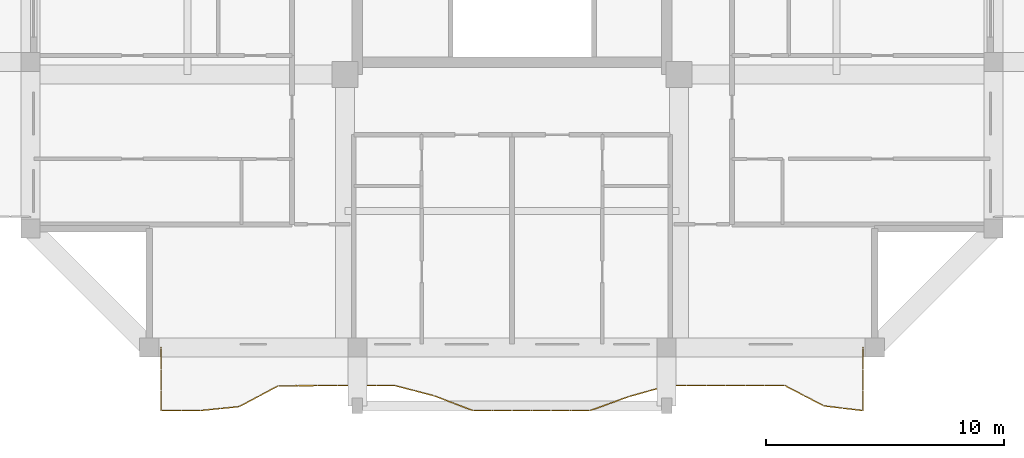
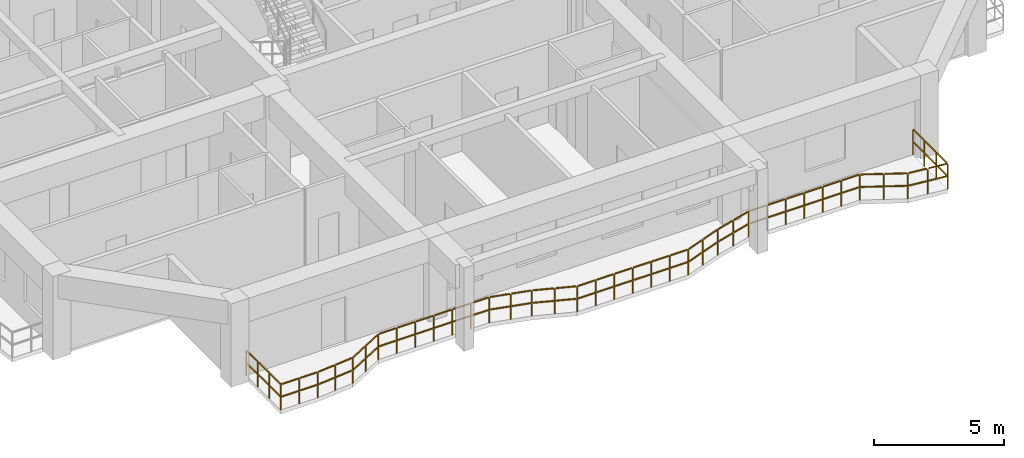
# One storey, part 9 of 13: 1 railing.
"""IFC4 building model written with IfcOpenShell, lengths in metres."""

from ifc_helpers import new_model, si_unit, direction, frame, origin, origin_2d, place, context, subcontext, project, spatial, rectangle, extrude, material, type_object, element, save


model = new_model("IFC4")

# Units and contexts
model_context = context("Model", 3, precision=1e-05, world=origin(), true_north=direction((0.0, 1.0)))
body_context = subcontext(model_context, "Body", "Model", "MODEL_VIEW")
ifc_project = project(units=[si_unit("LENGTHUNIT", "METRE"), si_unit("AREAUNIT", "SQUARE_METRE"), si_unit("VOLUMEUNIT", "CUBIC_METRE"), si_unit("PLANEANGLEUNIT", "RADIAN"), si_unit("MASSUNIT", "GRAM", prefix="KILO")], contexts=[model_context])

# Site, building, storey
site_placement = place(None, origin())
site = spatial("IfcSite", under=ifc_project, at=site_placement, CompositionType="ELEMENT")
building_placement = place(site_placement, origin())
building = spatial("IfcBuilding", under=site, at=building_placement, Name="Saelheon Loggia Tower", CompositionType="ELEMENT")
storey_placement = place(building_placement, frame((0.0, 0.0, 172.89990234375)))
storey = spatial("IfcBuildingStorey", under=building, at=storey_placement, Name="L54", CompositionType="ELEMENT", Elevation=172.89990234375)

# Railing
ifc_material = material(Name="Architectural Precast Concrete and Laminated Glass Guard", Category="concrete")
railing_type = type_object("IfcRailingType", Name="Guard_Loggia_RL_LOG", PredefinedType="BALUSTRADE", material=ifc_material)
railing_placement = place(storey_placement, frame((23.25, 6.0, 0.0)))
element("IfcRailing", 1, at=railing_placement, inside=storey, type_object=railing_type, Name="L54 South Loggia Balustrade", PredefinedType="BALUSTRADE", context=body_context, shape_type="SweptSolid", body=[
    extrude(rectangle(XDim=0.048095703125, YDim=0.048095703125, at=origin_2d()), frame((0.0, -0.033203125, 1.19580078125), z_axis=(0.0, -1.0, 0.0), x_axis=(1.0, 0.0, 0.0)), (0.0, 0.0, 1.0), 0.81689453125),
    extrude(rectangle(XDim=0.048095703125, YDim=0.048095703125, at=origin_2d()), frame((0.0, -0.033203125, 0.60986328125), z_axis=(0.0, -1.0, 0.0), x_axis=(1.0, 0.0, 0.0)), (0.0, 0.0, 1.0), 0.81689453125),
    extrude(rectangle(XDim=0.048095703125, YDim=0.048095703125, at=origin_2d()), frame((0.0, -0.91650390625, 1.19580078125), z_axis=(0.0, -1.0, 0.0), x_axis=(1.0, 0.0, 0.0)), (0.0, 0.0, 1.0), 0.81689453125),
    extrude(rectangle(XDim=0.048095703125, YDim=0.048095703125, at=origin_2d()), frame((0.0, -0.91650390625, 0.60986328125), z_axis=(0.0, -1.0, 0.0), x_axis=(1.0, 0.0, 0.0)), (0.0, 0.0, 1.0), 0.81689453125),
    extrude(rectangle(XDim=0.048095703125, YDim=0.048095703125, at=origin_2d()), frame((0.0, -1.7998046875, 1.19580078125), z_axis=(0.0, -1.0, 0.0), x_axis=(1.0, 0.0, 0.0)), (0.0, 0.0, 1.0), 0.81689453125),
    extrude(rectangle(XDim=0.048095703125, YDim=0.048095703125, at=origin_2d()), frame((0.0, -1.7998046875, 0.60986328125), z_axis=(0.0, -1.0, 0.0), x_axis=(1.0, 0.0, 0.0)), (0.0, 0.0, 1.0), 0.81689453125),
    extrude(rectangle(XDim=0.048095703125, YDim=0.048095703125, at=origin_2d()), frame((0.033203125, -2.64990234375, 1.19580078125), z_axis=(1.0, 0.0, 0.0), x_axis=(0.0, 1.0, 0.0)), (0.0, 0.0, 1.0), 0.7529296875),
    extrude(rectangle(XDim=0.048095703125, YDim=0.048095703125, at=origin_2d()), frame((0.033203125, -2.64990234375, 0.60986328125), z_axis=(1.0, 0.0, 0.0), x_axis=(0.0, 1.0, 0.0)), (0.0, 0.0, 1.0), 0.7529296875),
    extrude(rectangle(XDim=0.048095703125, YDim=0.048095703125, at=origin_2d()), frame((0.852783203125, -2.64990234375, 1.19580078125), z_axis=(1.0, 0.0, 0.0), x_axis=(0.0, 1.0, 0.0)), (0.0, 0.0, 1.0), 0.7529296875),
    extrude(rectangle(XDim=0.048095703125, YDim=0.048095703125, at=origin_2d()), frame((0.852783203125, -2.64990234375, 0.60986328125), z_axis=(1.0, 0.0, 0.0), x_axis=(0.0, 1.0, 0.0)), (0.0, 0.0, 1.0), 0.7529296875),
    extrude(rectangle(XDim=0.048095703125, YDim=0.048095703125, at=origin_2d()), frame((1.671875, -2.646484375, 1.19580078125), z_axis=(0.994967979787, 0.100193408958, 0.0), x_axis=(-0.100193408958, 0.994967979787, 0.0)), (0.0, 0.0, 1.0), 0.757080078125),
    extrude(rectangle(XDim=0.048095703125, YDim=0.048095703125, at=origin_2d()), frame((1.671875, -2.646484375, 0.60986328125), z_axis=(0.994967979787, 0.100193408958, 0.0), x_axis=(-0.100193408958, 0.994967979787, 0.0)), (0.0, 0.0, 1.0), 0.757080078125),
    extrude(rectangle(XDim=0.048095703125, YDim=0.048095703125, at=origin_2d()), frame((2.491455078125, -2.56396484375, 1.19580078125), z_axis=(0.994967979787, 0.100193408958, 0.0), x_axis=(-0.100193408958, 0.994967979787, 0.0)), (0.0, 0.0, 1.0), 0.757080078125),
    extrude(rectangle(XDim=0.048095703125, YDim=0.048095703125, at=origin_2d()), frame((2.491455078125, -2.56396484375, 0.60986328125), z_axis=(0.994967979787, 0.100193408958, 0.0), x_axis=(-0.100193408958, 0.994967979787, 0.0)), (0.0, 0.0, 1.0), 0.757080078125),
    extrude(rectangle(XDim=0.048095703125, YDim=0.048095703125, at=origin_2d()), frame((3.30712890625, -2.46923828125, 1.19580078125), z_axis=(0.882749398099, 0.469844123254, 0.0), x_axis=(-0.469844123254, 0.882749398099, 0.0)), (0.0, 0.0, 1.0), 0.86181640625),
    extrude(rectangle(XDim=0.048095703125, YDim=0.048095703125, at=origin_2d()), frame((3.30712890625, -2.46923828125, 0.60986328125), z_axis=(0.882749398099, 0.469844123254, 0.0), x_axis=(-0.469844123254, 0.882749398099, 0.0)), (0.0, 0.0, 1.0), 0.86181640625),
    extrude(rectangle(XDim=0.048095703125, YDim=0.048095703125, at=origin_2d()), frame((4.126708984375, -2.033203125, 1.19580078125), z_axis=(0.882749398099, 0.469844123254, 0.0), x_axis=(-0.469844123254, 0.882749398099, 0.0)), (0.0, 0.0, 1.0), 0.86181640625),
    extrude(rectangle(XDim=0.048095703125, YDim=0.048095703125, at=origin_2d()), frame((4.126708984375, -2.033203125, 0.60986328125), z_axis=(0.882749398099, 0.469844123254, 0.0), x_axis=(-0.469844123254, 0.882749398099, 0.0)), (0.0, 0.0, 1.0), 0.86181640625),
    extrude(rectangle(XDim=0.048095703125, YDim=0.048095703125, at=origin_2d()), frame((4.949951171875, -1.6123046875, 1.19580078125), z_axis=(0.999971142529, 0.007596980228, 0.0), x_axis=(-0.007596980228, 0.999971142529, 0.0)), (0.0, 0.0, 1.0), 0.7529296875),
    extrude(rectangle(XDim=0.048095703125, YDim=0.048095703125, at=origin_2d()), frame((4.949951171875, -1.6123046875, 0.60986328125), z_axis=(0.999971142529, 0.007596980228, 0.0), x_axis=(-0.007596980228, 0.999971142529, 0.0)), (0.0, 0.0, 1.0), 0.7529296875),
    extrude(rectangle(XDim=0.048095703125, YDim=0.048095703125, at=origin_2d()), frame((5.76953125, -1.60595703125, 1.19580078125), z_axis=(0.999971142529, 0.007596980228, 0.0), x_axis=(-0.007596980228, 0.999971142529, 0.0)), (0.0, 0.0, 1.0), 0.7529296875),
    extrude(rectangle(XDim=0.048095703125, YDim=0.048095703125, at=origin_2d()), frame((5.76953125, -1.60595703125, 0.60986328125), z_axis=(0.999971142529, 0.007596980228, 0.0), x_axis=(-0.007596980228, 0.999971142529, 0.0)), (0.0, 0.0, 1.0), 0.7529296875),
    extrude(rectangle(XDim=0.048095703125, YDim=0.048095703125, at=origin_2d()), frame((6.5888671875, -1.60009765625, 1.19580078125), z_axis=(1.0, 0.0, 0.0), x_axis=(0.0, 1.0, 0.0)), (0.0, 0.0, 1.0), 0.7529296875),
    extrude(rectangle(XDim=0.048095703125, YDim=0.048095703125, at=origin_2d()), frame((6.5888671875, -1.60009765625, 0.60986328125), z_axis=(1.0, 0.0, 0.0), x_axis=(0.0, 1.0, 0.0)), (0.0, 0.0, 1.0), 0.7529296875),
    extrude(rectangle(XDim=0.048095703125, YDim=0.048095703125, at=origin_2d()), frame((7.408203125, -1.60009765625, 1.19580078125), z_axis=(1.0, 0.0, 0.0), x_axis=(0.0, 1.0, 0.0)), (0.0, 0.0, 1.0), 0.7529296875),
    extrude(rectangle(XDim=0.048095703125, YDim=0.048095703125, at=origin_2d()), frame((7.408203125, -1.60009765625, 0.60986328125), z_axis=(1.0, 0.0, 0.0), x_axis=(0.0, 1.0, 0.0)), (0.0, 0.0, 1.0), 0.7529296875),
    extrude(rectangle(XDim=0.048095703125, YDim=0.048095703125, at=origin_2d()), frame((8.2275390625, -1.60009765625, 1.19580078125), z_axis=(1.0, 0.0, 0.0), x_axis=(0.0, 1.0, 0.0)), (0.0, 0.0, 1.0), 0.7529296875),
    extrude(rectangle(XDim=0.048095703125, YDim=0.048095703125, at=origin_2d()), frame((8.2275390625, -1.60009765625, 0.60986328125), z_axis=(1.0, 0.0, 0.0), x_axis=(0.0, 1.0, 0.0)), (0.0, 0.0, 1.0), 0.7529296875),
    extrude(rectangle(XDim=0.048095703125, YDim=0.048095703125, at=origin_2d()), frame((9.047119140625, -1.60009765625, 1.19580078125), z_axis=(1.0, 0.0, 0.0), x_axis=(0.0, 1.0, 0.0)), (0.0, 0.0, 1.0), 0.7529296875),
    extrude(rectangle(XDim=0.048095703125, YDim=0.048095703125, at=origin_2d()), frame((9.047119140625, -1.60009765625, 0.60986328125), z_axis=(1.0, 0.0, 0.0), x_axis=(0.0, 1.0, 0.0)), (0.0, 0.0, 1.0), 0.7529296875),
    extrude(rectangle(XDim=0.048095703125, YDim=0.048095703125, at=origin_2d()), frame((9.865478515625, -1.6083984375, 1.19580078125), z_axis=(0.967800734804, -0.251717575297, 0.0), x_axis=(0.251717575297, 0.967800734804, 0.0)), (0.0, 0.0, 1.0), 0.7802734375),
    extrude(rectangle(XDim=0.048095703125, YDim=0.048095703125, at=origin_2d()), frame((9.865478515625, -1.6083984375, 0.60986328125), z_axis=(0.967800734804, -0.251717575297, 0.0), x_axis=(0.251717575297, 0.967800734804, 0.0)), (0.0, 0.0, 1.0), 0.7802734375),
    extrude(rectangle(XDim=0.048095703125, YDim=0.048095703125, at=origin_2d()), frame((10.684814453125, -1.821533203125, 1.19580078125), z_axis=(0.967800734804, -0.251717575297, 0.0), x_axis=(0.251717575297, 0.967800734804, 0.0)), (0.0, 0.0, 1.0), 0.7802734375),
    extrude(rectangle(XDim=0.048095703125, YDim=0.048095703125, at=origin_2d()), frame((10.684814453125, -1.821533203125, 0.60986328125), z_axis=(0.967800734804, -0.251717575297, 0.0), x_axis=(0.251717575297, 0.967800734804, 0.0)), (0.0, 0.0, 1.0), 0.7802734375),
    extrude(rectangle(XDim=0.048095703125, YDim=0.048095703125, at=origin_2d()), frame((11.503173828125, -2.0380859375, 1.19580078125), z_axis=(0.934642039231, -0.355590014628, 0.0), x_axis=(0.355590014628, 0.934642039231, 0.0)), (0.0, 0.0, 1.0), 0.810302734375),
    extrude(rectangle(XDim=0.048095703125, YDim=0.048095703125, at=origin_2d()), frame((11.503173828125, -2.0380859375, 0.60986328125), z_axis=(0.934642039231, -0.355590014628, 0.0), x_axis=(0.355590014628, 0.934642039231, 0.0)), (0.0, 0.0, 1.0), 0.810302734375),
    extrude(rectangle(XDim=0.048095703125, YDim=0.048095703125, at=origin_2d()), frame((12.32275390625, -2.349853515625, 1.19580078125), z_axis=(0.934642039231, -0.355590014628, 0.0), x_axis=(0.355590014628, 0.934642039231, 0.0)), (0.0, 0.0, 1.0), 0.810302734375),
    extrude(rectangle(XDim=0.048095703125, YDim=0.048095703125, at=origin_2d()), frame((12.32275390625, -2.349853515625, 0.60986328125), z_axis=(0.934642039231, -0.355590014628, 0.0), x_axis=(0.355590014628, 0.934642039231, 0.0)), (0.0, 0.0, 1.0), 0.810302734375),
    extrude(rectangle(XDim=0.048095703125, YDim=0.048095703125, at=origin_2d()), frame((13.144287109375, -2.64990234375, 1.19580078125), z_axis=(1.0, 0.0, 0.0), x_axis=(0.0, 1.0, 0.0)), (0.0, 0.0, 1.0), 0.7529296875),
    extrude(rectangle(XDim=0.048095703125, YDim=0.048095703125, at=origin_2d()), frame((13.144287109375, -2.64990234375, 0.60986328125), z_axis=(1.0, 0.0, 0.0), x_axis=(0.0, 1.0, 0.0)), (0.0, 0.0, 1.0), 0.7529296875),
    extrude(rectangle(XDim=0.048095703125, YDim=0.048095703125, at=origin_2d()), frame((13.9638671875, -2.64990234375, 1.19580078125), z_axis=(1.0, 0.0, 0.0), x_axis=(0.0, 1.0, 0.0)), (0.0, 0.0, 1.0), 0.7529296875),
    extrude(rectangle(XDim=0.048095703125, YDim=0.048095703125, at=origin_2d()), frame((13.9638671875, -2.64990234375, 0.60986328125), z_axis=(1.0, 0.0, 0.0), x_axis=(0.0, 1.0, 0.0)), (0.0, 0.0, 1.0), 0.7529296875),
    extrude(rectangle(XDim=0.048095703125, YDim=0.048095703125, at=origin_2d()), frame((14.783203125, -2.64990234375, 1.19580078125), z_axis=(1.0, 0.0, 0.0), x_axis=(0.0, 1.0, 0.0)), (0.0, 0.0, 1.0), 0.7529296875),
    extrude(rectangle(XDim=0.048095703125, YDim=0.048095703125, at=origin_2d()), frame((14.783203125, -2.64990234375, 0.60986328125), z_axis=(1.0, 0.0, 0.0), x_axis=(0.0, 1.0, 0.0)), (0.0, 0.0, 1.0), 0.7529296875),
    extrude(rectangle(XDim=0.048095703125, YDim=0.048095703125, at=origin_2d()), frame((15.602783203125, -2.64990234375, 1.19580078125), z_axis=(1.0, 0.0, 0.0), x_axis=(0.0, 1.0, 0.0)), (0.0, 0.0, 1.0), 0.7529296875),
    extrude(rectangle(XDim=0.048095703125, YDim=0.048095703125, at=origin_2d()), frame((15.602783203125, -2.64990234375, 0.60986328125), z_axis=(1.0, 0.0, 0.0), x_axis=(0.0, 1.0, 0.0)), (0.0, 0.0, 1.0), 0.7529296875),
    extrude(rectangle(XDim=0.048095703125, YDim=0.048095703125, at=origin_2d()), frame((16.422119140625, -2.64990234375, 1.19580078125), z_axis=(1.0, 0.0, 0.0), x_axis=(0.0, 1.0, 0.0)), (0.0, 0.0, 1.0), 0.7529296875),
    extrude(rectangle(XDim=0.048095703125, YDim=0.048095703125, at=origin_2d()), frame((16.422119140625, -2.64990234375, 0.60986328125), z_axis=(1.0, 0.0, 0.0), x_axis=(0.0, 1.0, 0.0)), (0.0, 0.0, 1.0), 0.7529296875),
    extrude(rectangle(XDim=0.048095703125, YDim=0.048095703125, at=origin_2d()), frame((17.24169921875, -2.64990234375, 1.19580078125), z_axis=(1.0, 0.0, 0.0), x_axis=(0.0, 1.0, 0.0)), (0.0, 0.0, 1.0), 0.7529296875),
    extrude(rectangle(XDim=0.048095703125, YDim=0.048095703125, at=origin_2d()), frame((17.24169921875, -2.64990234375, 0.60986328125), z_axis=(1.0, 0.0, 0.0), x_axis=(0.0, 1.0, 0.0)), (0.0, 0.0, 1.0), 0.7529296875),
    extrude(rectangle(XDim=0.048095703125, YDim=0.048095703125, at=origin_2d()), frame((18.05908203125, -2.638671875, 1.19580078125), z_axis=(0.940783748947, 0.339007282691, 0.0), x_axis=(-0.339007282691, 0.940783748947, 0.0)), (0.0, 0.0, 1.0), 0.8046875),
    extrude(rectangle(XDim=0.048095703125, YDim=0.048095703125, at=origin_2d()), frame((18.05908203125, -2.638671875, 0.60986328125), z_axis=(0.940783748947, 0.339007282691, 0.0), x_axis=(-0.339007282691, 0.940783748947, 0.0)), (0.0, 0.0, 1.0), 0.8046875),
    extrude(rectangle(XDim=0.048095703125, YDim=0.048095703125, at=origin_2d()), frame((18.878662109375, -2.34326171875, 1.19580078125), z_axis=(0.940783748947, 0.339007282691, 0.0), x_axis=(-0.339007282691, 0.940783748947, 0.0)), (0.0, 0.0, 1.0), 0.8046875),
    extrude(rectangle(XDim=0.048095703125, YDim=0.048095703125, at=origin_2d()), frame((18.878662109375, -2.34326171875, 0.60986328125), z_axis=(0.940783748947, 0.339007282691, 0.0), x_axis=(-0.339007282691, 0.940783748947, 0.0)), (0.0, 0.0, 1.0), 0.8046875),
    extrude(rectangle(XDim=0.048095703125, YDim=0.048095703125, at=origin_2d()), frame((19.69873046875, -2.05029296875, 1.19580078125), z_axis=(0.96291335177, 0.269810817024, 0.0), x_axis=(-0.269810817024, 0.96291335177, 0.0)), (0.0, 0.0, 1.0), 0.78466796875),
    extrude(rectangle(XDim=0.048095703125, YDim=0.048095703125, at=origin_2d()), frame((19.69873046875, -2.05029296875, 0.60986328125), z_axis=(0.96291335177, 0.269810817024, 0.0), x_axis=(-0.269810817024, 0.96291335177, 0.0)), (0.0, 0.0, 1.0), 0.78466796875),
    extrude(rectangle(XDim=0.048095703125, YDim=0.048095703125, at=origin_2d()), frame((20.518310546875, -1.82080078125, 1.19580078125), z_axis=(0.96291335177, 0.269810817024, 0.0), x_axis=(-0.269810817024, 0.96291335177, 0.0)), (0.0, 0.0, 1.0), 0.78466796875),
    extrude(rectangle(XDim=0.048095703125, YDim=0.048095703125, at=origin_2d()), frame((20.518310546875, -1.82080078125, 0.60986328125), z_axis=(0.96291335177, 0.269810817024, 0.0), x_axis=(-0.269810817024, 0.96291335177, 0.0)), (0.0, 0.0, 1.0), 0.78466796875),
    extrude(rectangle(XDim=0.048095703125, YDim=0.048095703125, at=origin_2d()), frame((21.3388671875, -1.60009765625, 1.19580078125), z_axis=(1.0, 0.0, 0.0), x_axis=(0.0, 1.0, 0.0)), (0.0, 0.0, 1.0), 0.7529296875),
    extrude(rectangle(XDim=0.048095703125, YDim=0.048095703125, at=origin_2d()), frame((21.3388671875, -1.60009765625, 0.60986328125), z_axis=(1.0, 0.0, 0.0), x_axis=(0.0, 1.0, 0.0)), (0.0, 0.0, 1.0), 0.7529296875),
    extrude(rectangle(XDim=0.048095703125, YDim=0.048095703125, at=origin_2d()), frame((22.158203125, -1.60009765625, 1.19580078125), z_axis=(1.0, 0.0, 0.0), x_axis=(0.0, 1.0, 0.0)), (0.0, 0.0, 1.0), 0.7529296875),
    extrude(rectangle(XDim=0.048095703125, YDim=0.048095703125, at=origin_2d()), frame((22.158203125, -1.60009765625, 0.60986328125), z_axis=(1.0, 0.0, 0.0), x_axis=(0.0, 1.0, 0.0)), (0.0, 0.0, 1.0), 0.7529296875),
    extrude(rectangle(XDim=0.048095703125, YDim=0.048095703125, at=origin_2d()), frame((22.9775390625, -1.60009765625, 1.19580078125), z_axis=(1.0, 0.0, 0.0), x_axis=(0.0, 1.0, 0.0)), (0.0, 0.0, 1.0), 0.7529296875),
    extrude(rectangle(XDim=0.048095703125, YDim=0.048095703125, at=origin_2d()), frame((22.9775390625, -1.60009765625, 0.60986328125), z_axis=(1.0, 0.0, 0.0), x_axis=(0.0, 1.0, 0.0)), (0.0, 0.0, 1.0), 0.7529296875),
    extrude(rectangle(XDim=0.048095703125, YDim=0.048095703125, at=origin_2d()), frame((23.797119140625, -1.60009765625, 1.19580078125), z_axis=(1.0, 0.0, 0.0), x_axis=(0.0, 1.0, 0.0)), (0.0, 0.0, 1.0), 0.7529296875),
    extrude(rectangle(XDim=0.048095703125, YDim=0.048095703125, at=origin_2d()), frame((23.797119140625, -1.60009765625, 0.60986328125), z_axis=(1.0, 0.0, 0.0), x_axis=(0.0, 1.0, 0.0)), (0.0, 0.0, 1.0), 0.7529296875),
    extrude(rectangle(XDim=0.048095703125, YDim=0.048095703125, at=origin_2d()), frame((24.616455078125, -1.60009765625, 1.19580078125), z_axis=(1.0, 0.0, 0.0), x_axis=(0.0, 1.0, 0.0)), (0.0, 0.0, 1.0), 0.7529296875),
    extrude(rectangle(XDim=0.048095703125, YDim=0.048095703125, at=origin_2d()), frame((24.616455078125, -1.60009765625, 0.60986328125), z_axis=(1.0, 0.0, 0.0), x_axis=(0.0, 1.0, 0.0)), (0.0, 0.0, 1.0), 0.7529296875),
    extrude(rectangle(XDim=0.048095703125, YDim=0.048095703125, at=origin_2d()), frame((25.43603515625, -1.60009765625, 1.19580078125), z_axis=(1.0, 0.0, 0.0), x_axis=(0.0, 1.0, 0.0)), (0.0, 0.0, 1.0), 0.7529296875),
    extrude(rectangle(XDim=0.048095703125, YDim=0.048095703125, at=origin_2d()), frame((25.43603515625, -1.60009765625, 0.60986328125), z_axis=(1.0, 0.0, 0.0), x_axis=(0.0, 1.0, 0.0)), (0.0, 0.0, 1.0), 0.7529296875),
    extrude(rectangle(XDim=0.048095703125, YDim=0.048095703125, at=origin_2d()), frame((26.251708984375, -1.615478515625, 1.19580078125), z_axis=(0.88720381771, -0.4613777041, 0.0), x_axis=(0.4613777041, 0.88720381771, 0.0)), (0.0, 0.0, 1.0), 0.857177734375),
    extrude(rectangle(XDim=0.048095703125, YDim=0.048095703125, at=origin_2d()), frame((26.251708984375, -1.615478515625, 0.60986328125), z_axis=(0.88720381771, -0.4613777041, 0.0), x_axis=(0.4613777041, 0.88720381771, 0.0)), (0.0, 0.0, 1.0), 0.857177734375),
    extrude(rectangle(XDim=0.048095703125, YDim=0.048095703125, at=origin_2d()), frame((27.071044921875, -2.04150390625, 1.19580078125), z_axis=(0.88720381771, -0.4613777041, 0.0), x_axis=(0.4613777041, 0.88720381771, 0.0)), (0.0, 0.0, 1.0), 0.857177734375),
    extrude(rectangle(XDim=0.048095703125, YDim=0.048095703125, at=origin_2d()), frame((27.071044921875, -2.04150390625, 0.60986328125), z_axis=(0.88720381771, -0.4613777041, 0.0), x_axis=(0.4613777041, 0.88720381771, 0.0)), (0.0, 0.0, 1.0), 0.857177734375),
    extrude(rectangle(XDim=0.048095703125, YDim=0.048095703125, at=origin_2d()), frame((27.89404296875, -2.456298828125, 1.19580078125), z_axis=(0.992816527573, -0.119646740773, 0.0), x_axis=(0.119646740773, 0.992816527573, 0.0)), (0.0, 0.0, 1.0), 0.759033203125),
    extrude(rectangle(XDim=0.048095703125, YDim=0.048095703125, at=origin_2d()), frame((27.89404296875, -2.456298828125, 0.60986328125), z_axis=(0.992816527573, -0.119646740773, 0.0), x_axis=(0.119646740773, 0.992816527573, 0.0)), (0.0, 0.0, 1.0), 0.759033203125),
    extrude(rectangle(XDim=0.048095703125, YDim=0.048095703125, at=origin_2d()), frame((28.713623046875, -2.55517578125, 1.19580078125), z_axis=(0.992816527573, -0.119646740773, 0.0), x_axis=(0.119646740773, 0.992816527573, 0.0)), (0.0, 0.0, 1.0), 0.759033203125),
    extrude(rectangle(XDim=0.048095703125, YDim=0.048095703125, at=origin_2d()), frame((28.713623046875, -2.55517578125, 0.60986328125), z_axis=(0.992816527573, -0.119646740773, 0.0), x_axis=(0.119646740773, 0.992816527573, 0.0)), (0.0, 0.0, 1.0), 0.759033203125),
    extrude(rectangle(XDim=0.048095703125, YDim=0.048095703125, at=origin_2d()), frame((29.5, -2.61669921875, 1.19580078125), z_axis=(0.0, 1.0, 0.0), x_axis=(-1.0, 0.0, 0.0)), (0.0, 0.0, 1.0), 0.81689453125),
    extrude(rectangle(XDim=0.048095703125, YDim=0.048095703125, at=origin_2d()), frame((29.5, -2.61669921875, 0.60986328125), z_axis=(0.0, 1.0, 0.0), x_axis=(-1.0, 0.0, 0.0)), (0.0, 0.0, 1.0), 0.81689453125),
    extrude(rectangle(XDim=0.048095703125, YDim=0.048095703125, at=origin_2d()), frame((29.5, -1.7333984375, 1.19580078125), z_axis=(0.0, 1.0, 0.0), x_axis=(-1.0, 0.0, 0.0)), (0.0, 0.0, 1.0), 0.81689453125),
    extrude(rectangle(XDim=0.048095703125, YDim=0.048095703125, at=origin_2d()), frame((29.5, -1.7333984375, 0.60986328125), z_axis=(0.0, 1.0, 0.0), x_axis=(-1.0, 0.0, 0.0)), (0.0, 0.0, 1.0), 0.81689453125),
    extrude(rectangle(XDim=0.048095703125, YDim=0.048095703125, at=origin_2d()), frame((29.5, -0.85009765625, 1.19580078125), z_axis=(0.0, 1.0, 0.0), x_axis=(-1.0, 0.0, 0.0)), (0.0, 0.0, 1.0), 0.81689453125),
    extrude(rectangle(XDim=0.048095703125, YDim=0.048095703125, at=origin_2d()), frame((29.5, -0.85009765625, 0.60986328125), z_axis=(0.0, 1.0, 0.0), x_axis=(-1.0, 0.0, 0.0)), (0.0, 0.0, 1.0), 0.81689453125),
    extrude(rectangle(XDim=0.0419921875, YDim=0.0419921875, at=origin_2d()), origin(), (0.0, 0.0, 1.0), 1.16796875),
    extrude(rectangle(XDim=0.0419921875, YDim=0.0419921875, at=origin_2d()), frame((0.0, -0.88330078125, 0.0)), (0.0, 0.0, 1.0), 1.16796875),
    extrude(rectangle(XDim=0.0419921875, YDim=0.0419921875, at=origin_2d()), frame((0.0, -1.7666015625, 0.0)), (0.0, 0.0, 1.0), 1.16796875),
    extrude(rectangle(XDim=0.0419921875, YDim=0.0419921875, at=origin_2d()), frame((0.0, -2.64990234375, 0.0)), (0.0, 0.0, 1.0), 1.16796875),
    extrude(rectangle(XDim=0.0419921875, YDim=0.0419921875, at=origin_2d()), frame((0.8193359375, -2.64990234375, 0.0)), (0.0, 0.0, 1.0), 1.16796875),
    extrude(rectangle(XDim=0.0419921875, YDim=0.0419921875, at=origin_2d()), frame((1.638916015625, -2.64990234375, 0.0)), (0.0, 0.0, 1.0), 1.16796875),
    extrude(rectangle(XDim=0.0419921875, YDim=0.0419921875, at=origin_2d()), frame((2.45849609375, -2.5673828125, 0.0)), (0.0, 0.0, 1.0), 1.16796875),
    extrude(rectangle(XDim=0.0419921875, YDim=0.0419921875, at=origin_2d()), frame((3.27783203125, -2.48486328125, 0.0)), (0.0, 0.0, 1.0), 1.16796875),
    extrude(rectangle(XDim=0.0419921875, YDim=0.0419921875, at=origin_2d()), frame((4.09716796875, -2.048828125, 0.0)), (0.0, 0.0, 1.0), 1.16796875),
    extrude(rectangle(XDim=0.0419921875, YDim=0.0419921875, at=origin_2d()), frame((4.916748046875, -1.612548828125, 0.0)), (0.0, 0.0, 1.0), 1.16796875),
    extrude(rectangle(XDim=0.0419921875, YDim=0.0419921875, at=origin_2d()), frame((5.736328125, -1.6064453125, 0.0)), (0.0, 0.0, 1.0), 1.16796875),
    extrude(rectangle(XDim=0.0419921875, YDim=0.0419921875, at=origin_2d()), frame((6.5556640625, -1.60009765625, 0.0)), (0.0, 0.0, 1.0), 1.16796875),
    extrude(rectangle(XDim=0.0419921875, YDim=0.0419921875, at=origin_2d()), frame((7.375, -1.60009765625, 0.0)), (0.0, 0.0, 1.0), 1.16796875),
    extrude(rectangle(XDim=0.0419921875, YDim=0.0419921875, at=origin_2d()), frame((8.1943359375, -1.60009765625, 0.0)), (0.0, 0.0, 1.0), 1.16796875),
    extrude(rectangle(XDim=0.0419921875, YDim=0.0419921875, at=origin_2d()), frame((9.013671875, -1.60009765625, 0.0)), (0.0, 0.0, 1.0), 1.16796875),
    extrude(rectangle(XDim=0.0419921875, YDim=0.0419921875, at=origin_2d()), frame((9.833251953125, -1.60009765625, 0.0)), (0.0, 0.0, 1.0), 1.16796875),
    extrude(rectangle(XDim=0.0419921875, YDim=0.0419921875, at=origin_2d()), frame((10.65283203125, -1.813232421875, 0.0)), (0.0, 0.0, 1.0), 1.16796875),
    extrude(rectangle(XDim=0.0419921875, YDim=0.0419921875, at=origin_2d()), frame((11.47216796875, -2.0263671875, 0.0)), (0.0, 0.0, 1.0), 1.16796875),
    extrude(rectangle(XDim=0.0419921875, YDim=0.0419921875, at=origin_2d()), frame((12.29150390625, -2.338134765625, 0.0)), (0.0, 0.0, 1.0), 1.16796875),
    extrude(rectangle(XDim=0.0419921875, YDim=0.0419921875, at=origin_2d()), frame((13.111083984375, -2.64990234375, 0.0)), (0.0, 0.0, 1.0), 1.16796875),
    extrude(rectangle(XDim=0.0419921875, YDim=0.0419921875, at=origin_2d()), frame((13.9306640625, -2.64990234375, 0.0)), (0.0, 0.0, 1.0), 1.16796875),
    extrude(rectangle(XDim=0.0419921875, YDim=0.0419921875, at=origin_2d()), frame((14.75, -2.64990234375, 0.0)), (0.0, 0.0, 1.0), 1.16796875),
    extrude(rectangle(XDim=0.0419921875, YDim=0.0419921875, at=origin_2d()), frame((15.5693359375, -2.64990234375, 0.0)), (0.0, 0.0, 1.0), 1.16796875),
    extrude(rectangle(XDim=0.0419921875, YDim=0.0419921875, at=origin_2d()), frame((16.388916015625, -2.64990234375, 0.0)), (0.0, 0.0, 1.0), 1.16796875),
    extrude(rectangle(XDim=0.0419921875, YDim=0.0419921875, at=origin_2d()), frame((17.20849609375, -2.64990234375, 0.0)), (0.0, 0.0, 1.0), 1.16796875),
    extrude(rectangle(XDim=0.0419921875, YDim=0.0419921875, at=origin_2d()), frame((18.02783203125, -2.64990234375, 0.0)), (0.0, 0.0, 1.0), 1.16796875),
    extrude(rectangle(XDim=0.0419921875, YDim=0.0419921875, at=origin_2d()), frame((18.84716796875, -2.3544921875, 0.0)), (0.0, 0.0, 1.0), 1.16796875),
    extrude(rectangle(XDim=0.0419921875, YDim=0.0419921875, at=origin_2d()), frame((19.666748046875, -2.059326171875, 0.0)), (0.0, 0.0, 1.0), 1.16796875),
    extrude(rectangle(XDim=0.0419921875, YDim=0.0419921875, at=origin_2d()), frame((20.486328125, -1.82958984375, 0.0)), (0.0, 0.0, 1.0), 1.16796875),
    extrude(rectangle(XDim=0.0419921875, YDim=0.0419921875, at=origin_2d()), frame((21.3056640625, -1.60009765625, 0.0)), (0.0, 0.0, 1.0), 1.16796875),
    extrude(rectangle(XDim=0.0419921875, YDim=0.0419921875, at=origin_2d()), frame((22.125, -1.60009765625, 0.0)), (0.0, 0.0, 1.0), 1.16796875),
    extrude(rectangle(XDim=0.0419921875, YDim=0.0419921875, at=origin_2d()), frame((22.9443359375, -1.60009765625, 0.0)), (0.0, 0.0, 1.0), 1.16796875),
    extrude(rectangle(XDim=0.0419921875, YDim=0.0419921875, at=origin_2d()), frame((23.763671875, -1.60009765625, 0.0)), (0.0, 0.0, 1.0), 1.16796875),
    extrude(rectangle(XDim=0.0419921875, YDim=0.0419921875, at=origin_2d()), frame((24.583251953125, -1.60009765625, 0.0)), (0.0, 0.0, 1.0), 1.16796875),
    extrude(rectangle(XDim=0.0419921875, YDim=0.0419921875, at=origin_2d()), frame((25.40283203125, -1.60009765625, 0.0)), (0.0, 0.0, 1.0), 1.16796875),
    extrude(rectangle(XDim=0.0419921875, YDim=0.0419921875, at=origin_2d()), frame((26.22216796875, -1.60009765625, 0.0)), (0.0, 0.0, 1.0), 1.16796875),
    extrude(rectangle(XDim=0.0419921875, YDim=0.0419921875, at=origin_2d()), frame((27.04150390625, -2.0263671875, 0.0)), (0.0, 0.0, 1.0), 1.16796875),
    extrude(rectangle(XDim=0.0419921875, YDim=0.0419921875, at=origin_2d()), frame((27.861083984375, -2.452392578125, 0.0)), (0.0, 0.0, 1.0), 1.16796875),
    extrude(rectangle(XDim=0.0419921875, YDim=0.0419921875, at=origin_2d()), frame((28.6806640625, -2.55126953125, 0.0)), (0.0, 0.0, 1.0), 1.16796875),
    extrude(rectangle(XDim=0.0419921875, YDim=0.0419921875, at=origin_2d()), frame((29.5, -2.64990234375, 0.0)), (0.0, 0.0, 1.0), 1.16796875),
    extrude(rectangle(XDim=0.0419921875, YDim=0.0419921875, at=origin_2d()), frame((29.5, -1.7666015625, 0.0)), (0.0, 0.0, 1.0), 1.16796875),
    extrude(rectangle(XDim=0.0419921875, YDim=0.0419921875, at=origin_2d()), frame((29.5, -0.88330078125, 0.0)), (0.0, 0.0, 1.0), 1.16796875),
    extrude(rectangle(XDim=0.0419921875, YDim=0.0419921875, at=origin_2d()), frame((29.5, 0.0, 0.0)), (0.0, 0.0, 1.0), 1.16796875),
])

save(model, "model.ifc")
